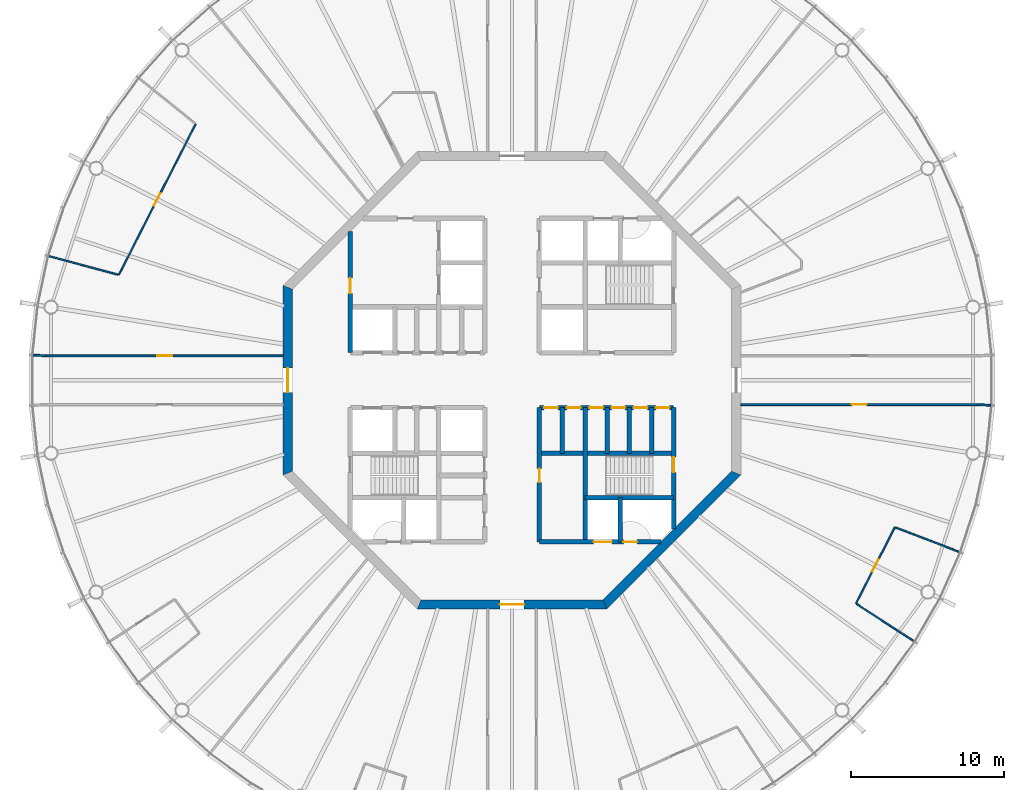
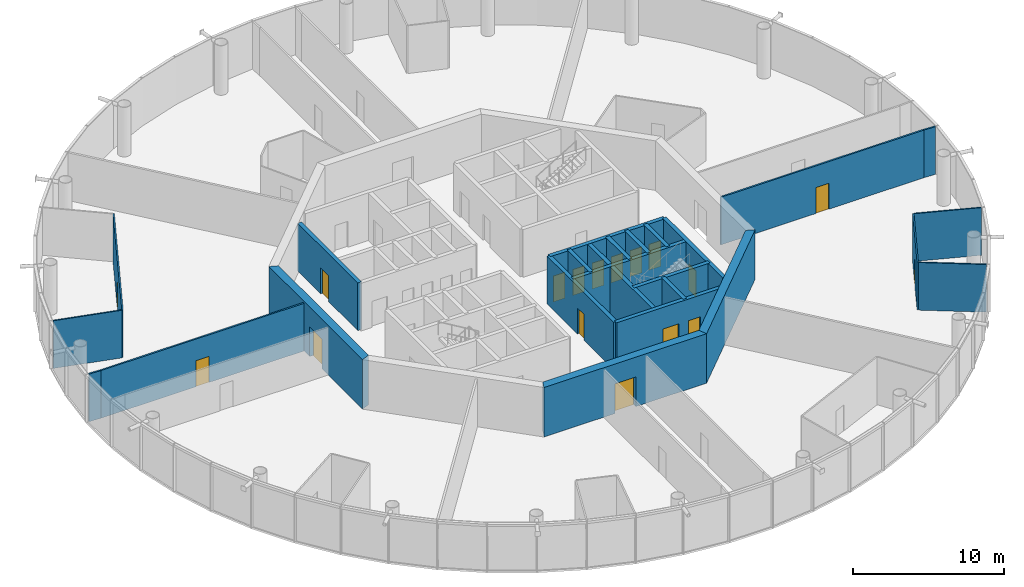
# One storey, part 4 of 18: 25 walls, 17 doors, 17 openings.
"""IFC4 building model written with IfcOpenShell, lengths in metres."""

from ifc_helpers import new_model, si_unit, direction, frame, frame_2d, origin, place, context, subcontext, project, spatial, polyline, rectangle, outline, extrude, material, layer, layer_set, type_object, element, fill, save


model = new_model("IFC4")

# Units and contexts
model_context = context("Model", 3, precision=1e-05, world=origin(), true_north=direction((0.0, 1.0)))
body_context = subcontext(model_context, "Body", "Model", "MODEL_VIEW")
ifc_project = project(units=[si_unit("LENGTHUNIT", "METRE"), si_unit("AREAUNIT", "SQUARE_METRE"), si_unit("VOLUMEUNIT", "CUBIC_METRE"), si_unit("PLANEANGLEUNIT", "RADIAN"), si_unit("MASSUNIT", "GRAM", prefix="KILO")], contexts=[model_context])

# Site, building, storey
site_placement = place(None, origin())
site = spatial("IfcSite", under=ifc_project, at=site_placement, CompositionType="ELEMENT")
building_placement = place(site_placement, origin())
building = spatial("IfcBuilding", under=site, at=building_placement, Name="Entoto Ring Tower", CompositionType="ELEMENT")
storey_placement = place(building_placement, frame((0.0, 0.0, 388.0)))
storey = spatial("IfcBuildingStorey", under=building, at=storey_placement, Name="L90", CompositionType="ELEMENT", Elevation=388.0)

# Wall, opening, door
ifc_material_1 = material(Name="Concrete C40/50", Category="concrete")
ifc_layer_1 = layer(ifc_material_1, 0.300048828125)
ifc_layer_set_1 = layer_set([ifc_layer_1], Name="Concrete C40/50")
wall_type_1 = type_object("IfcWallType", Name="Core enclosure wall 300 mm reinforced concrete", PredefinedType="SOLIDWALL", material=ifc_layer_set_1)
wall_1_placement = place(storey_placement, frame((100.60009765625, 70.2353515625, 0.0), z_axis=(0.0, 0.0, 1.0), x_axis=(0.0, 1.0, 0.0)))
wall_1 = element("IfcWall", 1, at=wall_1_placement, inside=storey, type_object=wall_type_1, Name="wall-L90-001", PredefinedType="SOLIDWALL", context=body_context, shape_type="SweptSolid", body=[
    extrude(rectangle(XDim=7.964599609375, YDim=0.300048828125, at=frame_2d((3.982421875, 0.0))), origin(), (0.0, 0.0, 1.0), 3.85009765625),
])
opening_1_placement = place(wall_1_placement, frame((3.714599609375, 0.0, 0.0)))
opening_1 = element("IfcOpeningElement", 2, at=opening_1_placement, cuts=wall_1, Name="Opening K-31", PredefinedType="OPENING", context=body_context, shape_type="SweptSolid", body=[
    extrude(rectangle(XDim=1.0, YDim=2.10009765625, at=frame_2d((0.5, 1.050048828125))), frame((0.0, 0.16015625, 0.0), z_axis=(0.0, -1.0, 0.0), x_axis=(1.0, 0.0, 0.0)), (0.0, 0.0, 1.0), 0.320068359375),
])
ifc_material_2 = material(Name="Steel door leaf, fire rated", Category="steel")
ifc_layer_2 = layer(ifc_material_2, 0.050048828125)
ifc_layer_set_2 = layer_set([ifc_layer_2], Name="Steel door leaf, fire rated")
door_type_1 = type_object("IfcDoorType", Name="Fire door FD60 1000 x 2100 single leaf", OperationType="NOTDEFINED", PredefinedType="DOOR", material=ifc_layer_set_2)
door_1_placement = place(opening_1_placement, origin())
door_1 = element("IfcDoor", 3, at=door_1_placement, inside=storey, type_object=door_type_1, Name="Door K-31", OperationType="SINGLE_SWING_RIGHT", OverallHeight=2.10009765625, OverallWidth=1.0, PredefinedType="DOOR", context=body_context, shape_type="SweptSolid", body=[
    extrude(rectangle(XDim=1.0, YDim=2.10009765625, at=frame_2d((0.5, 1.050048828125))), frame((0.0, 0.02490234375, 0.0), z_axis=(0.0, -1.0, 0.0), x_axis=(1.0, 0.0, 0.0)), (0.0, 0.0, 1.0), 0.050048828125),
])
fill(opening_1, door_1)

# Walls
for number, where, z_axis, x_axis, name in (
    (4, (99.14990234375, 75.199951171875, 0.0), (0.0, 0.0, 1.0), (0.0, 1.0, 0.0), "wall-L90-003"),
    (5, (97.699951171875, 75.199951171875, 0.0), (0.0, 0.0, 1.0), (0.0, 1.0, 0.0), "wall-L90-004"),
):
    element("IfcWall", number, at=place(storey_placement, frame(where, z_axis=z_axis, x_axis=x_axis)), inside=storey, type_object=wall_type_1, Name=name, PredefinedType="SOLIDWALL", context=body_context, shape_type="SweptSolid", body=[
        extrude(rectangle(XDim=3.0, YDim=0.300048828125, at=frame_2d((1.5, 0.0))), origin(), (0.0, 0.0, 1.0), 3.85009765625),
    ])
wall_2_placement = place(storey_placement, frame((97.10009765625, 69.39990234375, 0.0), z_axis=(0.0, 0.0, 1.0), x_axis=(0.0, 1.0, 0.0)))
element("IfcWall", 6, at=wall_2_placement, inside=storey, type_object=wall_type_1, Name="wall-L90-005", PredefinedType="SOLIDWALL", context=body_context, shape_type="SweptSolid", body=[
    extrude(rectangle(XDim=2.900146484375, YDim=0.300048828125, at=frame_2d((1.4501953125, 0.0))), origin(), (0.0, 0.0, 1.0), 3.85009765625),
])
wall_3_placement = place(storey_placement, frame((96.25, 75.199951171875, 0.0), z_axis=(0.0, 0.0, 1.0), x_axis=(0.0, 1.0, 0.0)))
element("IfcWall", 7, at=wall_3_placement, inside=storey, type_object=wall_type_1, Name="wall-L90-007", PredefinedType="SOLIDWALL", context=body_context, shape_type="SweptSolid", body=[
    extrude(rectangle(XDim=3.0, YDim=0.300048828125, at=frame_2d((1.5, 0.0))), origin(), (0.0, 0.0, 1.0), 3.85009765625),
])
wall_4_placement = place(storey_placement, frame((94.800048828125, 69.39990234375, 0.0), z_axis=(0.0, 0.0, 1.0), x_axis=(0.0, 1.0, 0.0)))
element("IfcWall", 8, at=wall_4_placement, inside=storey, type_object=wall_type_1, Name="wall-L90-008", PredefinedType="SOLIDWALL", context=body_context, shape_type="SweptSolid", body=[
    extrude(rectangle(XDim=8.800048828125, YDim=0.300048828125, at=frame_2d((4.39990234375, 0.0))), origin(), (0.0, 0.0, 1.0), 3.85009765625),
])
wall_5_placement = place(storey_placement, frame((93.300048828125, 75.199951171875, 0.0), z_axis=(0.0, 0.0, 1.0), x_axis=(0.0, 1.0, 0.0)))
element("IfcWall", 9, at=wall_5_placement, inside=storey, type_object=wall_type_1, Name="wall-L90-010", PredefinedType="SOLIDWALL", context=body_context, shape_type="SweptSolid", body=[
    extrude(rectangle(XDim=3.0, YDim=0.300048828125, at=frame_2d((1.5, 0.0))), origin(), (0.0, 0.0, 1.0), 3.85009765625),
])

# Wall, opening, door
wall_6_placement = place(storey_placement, frame((91.800048828125, 69.39990234375, 0.0), z_axis=(0.0, 0.0, 1.0), x_axis=(0.0, 1.0, 0.0)))
wall_6 = element("IfcWall", 10, at=wall_6_placement, inside=storey, type_object=wall_type_1, Name="wall-L90-011", PredefinedType="SOLIDWALL", context=body_context, shape_type="SweptSolid", body=[
    extrude(rectangle(XDim=8.800048828125, YDim=0.300048828125, at=frame_2d((4.39990234375, 0.0))), origin(), (0.0, 0.0, 1.0), 3.85009765625),
])
opening_2_placement = place(wall_6_placement, frame((3.89990234375, 0.0, 0.0)))
opening_2 = element("IfcOpeningElement", 11, at=opening_2_placement, cuts=wall_6, Name="Opening K-21", PredefinedType="OPENING", context=body_context, shape_type="SweptSolid", body=[
    extrude(rectangle(XDim=0.89990234375, YDim=2.10009765625, at=frame_2d((0.449951171875, 1.050048828125))), frame((0.0, 0.16015625, 0.0), z_axis=(0.0, -1.0, 0.0), x_axis=(1.0, 0.0, 0.0)), (0.0, 0.0, 1.0), 0.320068359375),
])
ifc_material_3 = material(Name="Steel door leaf, fire rated", Category="steel")
ifc_layer_3 = layer(ifc_material_3, 0.050048828125)
ifc_layer_set_3 = layer_set([ifc_layer_3], Name="Steel door leaf, fire rated")
door_type_2 = type_object("IfcDoorType", Name="Core door 900 x 2100 single leaf", OperationType="NOTDEFINED", PredefinedType="DOOR", material=ifc_layer_set_3)
door_2_placement = place(opening_2_placement, frame((0.89990234375, 0.0, 0.0), z_axis=(0.0, 0.0, 1.0), x_axis=(-1.0, 0.0, 0.0)))
door_2 = element("IfcDoor", 12, at=door_2_placement, inside=storey, type_object=door_type_2, Name="Door K-21", OperationType="SINGLE_SWING_LEFT", OverallHeight=2.10009765625, OverallWidth=0.89990234375, PredefinedType="DOOR", context=body_context, shape_type="SweptSolid", body=[
    extrude(rectangle(XDim=0.89990234375, YDim=2.10009765625, at=frame_2d((0.449951171875, 1.050048828125))), frame((0.0, 0.02490234375, 0.0), z_axis=(0.0, -1.0, 0.0), x_axis=(1.0, 0.0, 0.0)), (0.0, 0.0, 1.0), 0.050048828125),
])
fill(opening_2, door_2)

wall_7_placement = place(storey_placement, frame((79.39990234375, 81.800048828125, 0.0), z_axis=(0.0, 0.0, 1.0), x_axis=(0.0, 1.0, 0.0)))
wall_7 = element("IfcWall", 13, at=wall_7_placement, inside=storey, type_object=wall_type_1, Name="wall-L90-024", PredefinedType="SOLIDWALL", context=body_context, shape_type="SweptSolid", body=[
    extrude(rectangle(XDim=7.964599609375, YDim=0.300048828125, at=frame_2d((3.982421875, 0.0))), origin(), (0.0, 0.0, 1.0), 3.85009765625),
])
opening_3_placement = place(wall_7_placement, frame((3.89990234375, 0.0, 0.0)))
opening_3 = element("IfcOpeningElement", 14, at=opening_3_placement, cuts=wall_7, Name="Opening K-35", PredefinedType="OPENING", context=body_context, shape_type="SweptSolid", body=[
    extrude(rectangle(XDim=1.0, YDim=2.10009765625, at=frame_2d((0.5, 1.050048828125))), frame((0.0, 0.16015625, 0.0), z_axis=(0.0, -1.0, 0.0), x_axis=(1.0, 0.0, 0.0)), (0.0, 0.0, 1.0), 0.320068359375),
])
door_3_placement = place(opening_3_placement, frame((1.0, 0.0, 0.0), z_axis=(0.0, 0.0, 1.0), x_axis=(-1.0, 0.0, 0.0)))
door_3 = element("IfcDoor", 15, at=door_3_placement, inside=storey, type_object=door_type_1, Name="Door K-35", OperationType="SINGLE_SWING_RIGHT", OverallHeight=2.10009765625, OverallWidth=1.0, PredefinedType="DOOR", context=body_context, shape_type="SweptSolid", body=[
    extrude(rectangle(XDim=1.0, YDim=2.10009765625, at=frame_2d((0.5, 1.050048828125))), frame((0.0, 0.02490234375, 0.0), z_axis=(0.0, -1.0, 0.0), x_axis=(1.0, 0.0, 0.0)), (0.0, 0.0, 1.0), 0.050048828125),
])
fill(opening_3, door_3)

# Wall, openings, doors
wall_8_placement = place(storey_placement, frame((91.800048828125, 69.39990234375, 0.0), z_axis=(0.0, 0.0, 1.0), x_axis=(1.0, 0.0, 0.0)))
wall_8 = element("IfcWall", 16, at=wall_8_placement, inside=storey, type_object=wall_type_1, Name="wall-L90-026", PredefinedType="SOLIDWALL", context=body_context, shape_type="SweptSolid", body=[
    extrude(rectangle(XDim=7.964599609375, YDim=0.300048828125, at=frame_2d((3.982421875, 0.0))), origin(), (0.0, 0.0, 1.0), 3.85009765625),
])
opening_4_placement = place(wall_8_placement, frame((3.550048828125, 0.0, 0.0)))
opening_4 = element("IfcOpeningElement", 17, at=opening_4_placement, cuts=wall_8, Name="Opening LD", PredefinedType="OPENING", context=body_context, shape_type="SweptSolid", body=[
    extrude(rectangle(XDim=1.199951171875, YDim=2.10009765625, at=frame_2d((0.60009765625, 1.050048828125))), frame((0.0, 0.16015625, 0.0), z_axis=(0.0, -1.0, 0.0), x_axis=(1.0, 0.0, 0.0)), (0.0, 0.0, 1.0), 0.320068359375),
])
opening_5_placement = place(wall_8_placement, frame((5.5, 0.0, 0.0)))
opening_5 = element("IfcOpeningElement", 18, at=opening_5_placement, cuts=wall_8, Name="Opening K-34", PredefinedType="OPENING", context=body_context, shape_type="SweptSolid", body=[
    extrude(rectangle(XDim=0.89990234375, YDim=2.10009765625, at=frame_2d((0.449951171875, 1.050048828125))), frame((0.0, 0.16015625, 0.0), z_axis=(0.0, -1.0, 0.0), x_axis=(1.0, 0.0, 0.0)), (0.0, 0.0, 1.0), 0.320068359375),
])
ifc_material_4 = material(Name="Steel and glass door leaf", Category="steel")
ifc_layer_4 = layer(ifc_material_4, 0.050048828125)
ifc_layer_set_4 = layer_set([ifc_layer_4], Name="Steel and glass door leaf")
door_type_3 = type_object("IfcDoorType", Name="Landing door 1200 x 2100 sliding", OperationType="DOUBLE_DOOR_SLIDING", PredefinedType="DOOR", material=ifc_layer_set_4)
door_4_placement = place(opening_4_placement, origin())
door_4 = element("IfcDoor", 19, at=door_4_placement, inside=storey, type_object=door_type_3, Name="Landing door LB2-HR", OperationType="SLIDING_TO_RIGHT", OverallHeight=2.10009765625, OverallWidth=1.199951171875, PredefinedType="DOOR", context=body_context, shape_type="SweptSolid", body=[
    extrude(rectangle(XDim=1.199951171875, YDim=2.10009765625, at=frame_2d((0.60009765625, 1.050048828125))), frame((0.0, 0.02490234375, 0.0), z_axis=(0.0, -1.0, 0.0), x_axis=(1.0, 0.0, 0.0)), (0.0, 0.0, 1.0), 0.050048828125),
])
fill(opening_4, door_4)
ifc_material_5 = material(Name="Steel door leaf, fire rated", Category="steel")
ifc_layer_5 = layer(ifc_material_5, 0.050048828125)
ifc_layer_set_5 = layer_set([ifc_layer_5], Name="Steel door leaf, fire rated")
door_type_4 = type_object("IfcDoorType", Name="Riser door FD60 900 x 2100 single leaf", OperationType="NOTDEFINED", PredefinedType="DOOR", material=ifc_layer_set_5)
door_5_placement = place(opening_5_placement, origin())
door_5 = element("IfcDoor", 20, at=door_5_placement, inside=storey, type_object=door_type_4, Name="Door K-34", OperationType="SINGLE_SWING_LEFT", OverallHeight=2.10009765625, OverallWidth=0.89990234375, PredefinedType="DOOR", context=body_context, shape_type="SweptSolid", body=[
    extrude(rectangle(XDim=0.89990234375, YDim=2.10009765625, at=frame_2d((0.449951171875, 1.050048828125))), frame((0.0, 0.02490234375, 0.0), z_axis=(0.0, -1.0, 0.0), x_axis=(1.0, 0.0, 0.0)), (0.0, 0.0, 1.0), 0.050048828125),
])
fill(opening_5, door_5)

# Walls
wall_9_placement = place(storey_placement, frame((94.800048828125, 72.300048828125, 0.0), z_axis=(0.0, 0.0, 1.0), x_axis=(1.0, 0.0, 0.0)))
element("IfcWall", 21, at=wall_9_placement, inside=storey, type_object=wall_type_1, Name="wall-L90-028", PredefinedType="SOLIDWALL", context=body_context, shape_type="SweptSolid", body=[
    extrude(rectangle(XDim=5.800048828125, YDim=0.300048828125, at=frame_2d((2.89990234375, 0.0))), origin(), (0.0, 0.0, 1.0), 3.85009765625),
])
wall_10_placement = place(storey_placement, frame((91.800048828125, 75.199951171875, 0.0), z_axis=(0.0, 0.0, 1.0), x_axis=(1.0, 0.0, 0.0)))
element("IfcWall", 22, at=wall_10_placement, inside=storey, type_object=wall_type_1, Name="wall-L90-031", PredefinedType="SOLIDWALL", context=body_context, shape_type="SweptSolid", body=[
    extrude(rectangle(XDim=8.800048828125, YDim=0.300048828125, at=frame_2d((4.39990234375, 0.0))), origin(), (0.0, 0.0, 1.0), 3.85009765625),
])

# Wall, openings, doors
wall_11_placement = place(storey_placement, frame((91.800048828125, 78.199951171875, 0.0), z_axis=(0.0, 0.0, 1.0), x_axis=(1.0, 0.0, 0.0)))
wall_11 = element("IfcWall", 23, at=wall_11_placement, inside=storey, type_object=wall_type_1, Name="wall-L90-033", PredefinedType="SOLIDWALL", context=body_context, shape_type="SweptSolid", body=[
    extrude(rectangle(XDim=8.800048828125, YDim=0.300048828125, at=frame_2d((4.39990234375, 0.0))), origin(), (0.0, 0.0, 1.0), 3.85009765625),
])
opening_6_placement = place(wall_11_placement, frame((3.27490234375, 0.0, 0.0)))
opening_6 = element("IfcOpeningElement", 24, at=opening_6_placement, cuts=wall_11, Name="Opening K-14", PredefinedType="OPENING", context=body_context, shape_type="SweptSolid", body=[
    extrude(rectangle(XDim=0.89990234375, YDim=2.10009765625, at=frame_2d((0.449951171875, 1.050048828125))), frame((0.0, 0.16015625, 0.0), z_axis=(0.0, -1.0, 0.0), x_axis=(1.0, 0.0, 0.0)), (0.0, 0.0, 1.0), 0.320068359375),
])
opening_7_placement = place(wall_11_placement, frame((4.72509765625, 0.0, 0.0)))
opening_7 = element("IfcOpeningElement", 25, at=opening_7_placement, cuts=wall_11, Name="Opening K-15", PredefinedType="OPENING", context=body_context, shape_type="SweptSolid", body=[
    extrude(rectangle(XDim=0.89990234375, YDim=2.10009765625, at=frame_2d((0.449951171875, 1.050048828125))), frame((0.0, 0.16015625, 0.0), z_axis=(0.0, -1.0, 0.0), x_axis=(1.0, 0.0, 0.0)), (0.0, 0.0, 1.0), 0.320068359375),
])
opening_8_placement = place(wall_11_placement, frame((6.175048828125, 0.0, 0.0)))
opening_8 = element("IfcOpeningElement", 26, at=opening_8_placement, cuts=wall_11, Name="Opening K-16", PredefinedType="OPENING", context=body_context, shape_type="SweptSolid", body=[
    extrude(rectangle(XDim=0.89990234375, YDim=2.10009765625, at=frame_2d((0.449951171875, 1.050048828125))), frame((0.0, 0.16015625, 0.0), z_axis=(0.0, -1.0, 0.0), x_axis=(1.0, 0.0, 0.0)), (0.0, 0.0, 1.0), 0.320068359375),
])
opening_9_placement = place(wall_11_placement, frame((7.625, 0.0, 0.0)))
opening_9 = element("IfcOpeningElement", 27, at=opening_9_placement, cuts=wall_11, Name="Opening K-57", PredefinedType="OPENING", context=body_context, shape_type="SweptSolid", body=[
    extrude(rectangle(XDim=0.89990234375, YDim=2.10009765625, at=frame_2d((0.449951171875, 1.050048828125))), frame((0.0, 0.16015625, 0.0), z_axis=(0.0, -1.0, 0.0), x_axis=(1.0, 0.0, 0.0)), (0.0, 0.0, 1.0), 0.320068359375),
])
opening_10_placement = place(wall_11_placement, frame((0.300048828125, 0.0, 0.0)))
opening_10 = element("IfcOpeningElement", 28, at=opening_10_placement, cuts=wall_11, Name="Opening K-79", PredefinedType="OPENING", context=body_context, shape_type="SweptSolid", body=[
    extrude(rectangle(XDim=0.89990234375, YDim=2.10009765625, at=frame_2d((0.449951171875, 1.050048828125))), frame((0.0, 0.16015625, 0.0), z_axis=(0.0, -1.0, 0.0), x_axis=(1.0, 0.0, 0.0)), (0.0, 0.0, 1.0), 0.320068359375),
])
opening_11_placement = place(wall_11_placement, frame((1.800048828125, 0.0, 0.0)))
opening_11 = element("IfcOpeningElement", 29, at=opening_11_placement, cuts=wall_11, Name="Opening K-81", PredefinedType="OPENING", context=body_context, shape_type="SweptSolid", body=[
    extrude(rectangle(XDim=0.89990234375, YDim=2.10009765625, at=frame_2d((0.449951171875, 1.050048828125))), frame((0.0, 0.16015625, 0.0), z_axis=(0.0, -1.0, 0.0), x_axis=(1.0, 0.0, 0.0)), (0.0, 0.0, 1.0), 0.320068359375),
])
door_6_placement = place(opening_6_placement, frame((0.89990234375, 0.0, 0.0), z_axis=(0.0, 0.0, 1.0), x_axis=(-1.0, 0.0, 0.0)))
door_6 = element("IfcDoor", 30, at=door_6_placement, inside=storey, type_object=door_type_2, Name="Door K-14", OperationType="SINGLE_SWING_LEFT", OverallHeight=2.10009765625, OverallWidth=0.89990234375, PredefinedType="DOOR", context=body_context, shape_type="SweptSolid", body=[
    extrude(rectangle(XDim=0.89990234375, YDim=2.10009765625, at=frame_2d((0.449951171875, 1.050048828125))), frame((0.0, 0.02490234375, 0.0), z_axis=(0.0, -1.0, 0.0), x_axis=(1.0, 0.0, 0.0)), (0.0, 0.0, 1.0), 0.050048828125),
])
fill(opening_6, door_6)
door_7_placement = place(opening_7_placement, frame((0.89990234375, 0.0, 0.0), z_axis=(0.0, 0.0, 1.0), x_axis=(-1.0, 0.0, 0.0)))
door_7 = element("IfcDoor", 31, at=door_7_placement, inside=storey, type_object=door_type_2, Name="Door K-15", OperationType="SINGLE_SWING_RIGHT", OverallHeight=2.10009765625, OverallWidth=0.89990234375, PredefinedType="DOOR", context=body_context, shape_type="SweptSolid", body=[
    extrude(rectangle(XDim=0.89990234375, YDim=2.10009765625, at=frame_2d((0.449951171875, 1.050048828125))), frame((0.0, 0.02490234375, 0.0), z_axis=(0.0, -1.0, 0.0), x_axis=(1.0, 0.0, 0.0)), (0.0, 0.0, 1.0), 0.050048828125),
])
fill(opening_7, door_7)
door_8_placement = place(opening_8_placement, frame((0.89990234375, 0.0, 0.0), z_axis=(0.0, 0.0, 1.0), x_axis=(-1.0, 0.0, 0.0)))
door_8 = element("IfcDoor", 32, at=door_8_placement, inside=storey, type_object=door_type_2, Name="Door K-16", OperationType="SINGLE_SWING_RIGHT", OverallHeight=2.10009765625, OverallWidth=0.89990234375, PredefinedType="DOOR", context=body_context, shape_type="SweptSolid", body=[
    extrude(rectangle(XDim=0.89990234375, YDim=2.10009765625, at=frame_2d((0.449951171875, 1.050048828125))), frame((0.0, 0.02490234375, 0.0), z_axis=(0.0, -1.0, 0.0), x_axis=(1.0, 0.0, 0.0)), (0.0, 0.0, 1.0), 0.050048828125),
])
fill(opening_8, door_8)
door_9_placement = place(opening_9_placement, frame((0.89990234375, 0.0, 0.0), z_axis=(0.0, 0.0, 1.0), x_axis=(-1.0, 0.0, 0.0)))
door_9 = element("IfcDoor", 33, at=door_9_placement, inside=storey, type_object=door_type_2, Name="Door K-57", OperationType="SINGLE_SWING_RIGHT", OverallHeight=2.10009765625, OverallWidth=0.89990234375, PredefinedType="DOOR", context=body_context, shape_type="SweptSolid", body=[
    extrude(rectangle(XDim=0.89990234375, YDim=2.10009765625, at=frame_2d((0.449951171875, 1.050048828125))), frame((0.0, 0.02490234375, 0.0), z_axis=(0.0, -1.0, 0.0), x_axis=(1.0, 0.0, 0.0)), (0.0, 0.0, 1.0), 0.050048828125),
])
fill(opening_9, door_9)
door_10_placement = place(opening_10_placement, frame((0.89990234375, 0.0, 0.0), z_axis=(0.0, 0.0, 1.0), x_axis=(-1.0, 0.0, 0.0)))
door_10 = element("IfcDoor", 34, at=door_10_placement, inside=storey, type_object=door_type_2, Name="Door K-79", OperationType="SINGLE_SWING_RIGHT", OverallHeight=2.10009765625, OverallWidth=0.89990234375, PredefinedType="DOOR", context=body_context, shape_type="SweptSolid", body=[
    extrude(rectangle(XDim=0.89990234375, YDim=2.10009765625, at=frame_2d((0.449951171875, 1.050048828125))), frame((0.0, 0.02490234375, 0.0), z_axis=(0.0, -1.0, 0.0), x_axis=(1.0, 0.0, 0.0)), (0.0, 0.0, 1.0), 0.050048828125),
])
fill(opening_10, door_10)
door_11_placement = place(opening_11_placement, frame((0.89990234375, 0.0, 0.0), z_axis=(0.0, 0.0, 1.0), x_axis=(-1.0, 0.0, 0.0)))
door_11 = element("IfcDoor", 35, at=door_11_placement, inside=storey, type_object=door_type_2, Name="Door K-81", OperationType="SINGLE_SWING_RIGHT", OverallHeight=2.10009765625, OverallWidth=0.89990234375, PredefinedType="DOOR", context=body_context, shape_type="SweptSolid", body=[
    extrude(rectangle(XDim=0.89990234375, YDim=2.10009765625, at=frame_2d((0.449951171875, 1.050048828125))), frame((0.0, 0.02490234375, 0.0), z_axis=(0.0, -1.0, 0.0), x_axis=(1.0, 0.0, 0.0)), (0.0, 0.0, 1.0), 0.050048828125),
])
fill(opening_11, door_11)

# Wall, opening, door
ifc_material_6 = material(Name="Concrete C40/50", Category="concrete")
ifc_layer_6 = layer(ifc_material_6, 0.60009765625)
ifc_layer_set_6 = layer_set([ifc_layer_6], Name="Concrete C40/50")
wall_type_2 = type_object("IfcWallType", Name="Core shear wall 600 mm reinforced concrete C40/50", PredefinedType="SHEAR", material=ifc_layer_set_6)
wall_12_placement = place(storey_placement, frame((75.300048828125, 86.0888671875, 0.0), z_axis=(0.0, 0.0, 1.0), x_axis=(0.0, -1.0, 0.0)))
wall_12 = element("IfcWall", 36, at=wall_12_placement, inside=storey, type_object=wall_type_2, Name="wall-L90-core-4", PredefinedType="SHEAR", context=body_context, shape_type="SweptSolid", body=[
    extrude(outline(polyline([(-0.124267578125, -0.300048828125), (12.302001953125, -0.300048828125), (12.053466796875, 0.300048828125), (0.124267578125, 0.300048828125), (-0.124267578125, -0.300048828125)])), origin(), (0.0, 0.0, 1.0), 4.0),
])
opening_12_placement = place(wall_12_placement, frame((5.288818359375, 0.0, 0.0)))
opening_12 = element("IfcOpeningElement", 37, at=opening_12_placement, cuts=wall_12, Name="Opening K-03", PredefinedType="OPENING", context=body_context, shape_type="SweptSolid", body=[
    extrude(rectangle(XDim=1.60009765625, YDim=2.39990234375, at=frame_2d((0.800048828125, 1.199951171875))), frame((0.0, 0.31005859375, 0.0), z_axis=(0.0, -1.0, 0.0), x_axis=(1.0, 0.0, 0.0)), (0.0, 0.0, 1.0), 0.6201171875),
])
ifc_material_7 = material(Name="Steel door leaf, fire rated", Category="steel")
ifc_layer_7 = layer(ifc_material_7, 0.050048828125)
ifc_layer_set_7 = layer_set([ifc_layer_7], Name="Steel door leaf, fire rated")
door_type_5 = type_object("IfcDoorType", Name="Entrance door FD60 1600 x 2400 double leaf", OperationType="DOUBLE_DOOR_SINGLE_SWING", PredefinedType="DOOR", material=ifc_layer_set_7)
door_12_placement = place(opening_12_placement, origin())
door_12 = element("IfcDoor", 38, at=door_12_placement, inside=storey, type_object=door_type_5, Name="Entrance door K-03", OperationType="DOUBLE_DOOR_SINGLE_SWING", OverallHeight=2.39990234375, OverallWidth=1.60009765625, PredefinedType="DOOR", context=body_context, shape_type="SweptSolid", body=[
    extrude(rectangle(XDim=1.60009765625, YDim=2.39990234375, at=frame_2d((0.800048828125, 1.199951171875))), frame((0.0, 0.02490234375, 0.0), z_axis=(0.0, -1.0, 0.0), x_axis=(1.0, 0.0, 0.0)), (0.0, 0.0, 1.0), 0.050048828125),
])
fill(opening_12, door_12)

wall_13_placement = place(storey_placement, frame((83.9111328125, 65.300048828125, 0.0), z_axis=(0.0, 0.0, 1.0), x_axis=(1.0, 0.0, 0.0)))
wall_13 = element("IfcWall", 39, at=wall_13_placement, inside=storey, type_object=wall_type_2, Name="wall-L90-core-6", PredefinedType="SHEAR", context=body_context, shape_type="SweptSolid", body=[
    extrude(outline(polyline([(-0.124267578125, -0.300048828125), (12.302001953125, -0.300048828125), (12.053466796875, 0.300048828125), (0.124267578125, 0.300048828125), (-0.124267578125, -0.300048828125)])), origin(), (0.0, 0.0, 1.0), 4.0),
])
opening_13_placement = place(wall_13_placement, frame((5.288818359375, 0.0, 0.0)))
opening_13 = element("IfcOpeningElement", 40, at=opening_13_placement, cuts=wall_13, Name="Opening K-04", PredefinedType="OPENING", context=body_context, shape_type="SweptSolid", body=[
    extrude(rectangle(XDim=1.60009765625, YDim=2.39990234375, at=frame_2d((0.800048828125, 1.199951171875))), frame((0.0, 0.31005859375, 0.0), z_axis=(0.0, -1.0, 0.0), x_axis=(1.0, 0.0, 0.0)), (0.0, 0.0, 1.0), 0.6201171875),
])
door_13_placement = place(opening_13_placement, origin())
door_13 = element("IfcDoor", 41, at=door_13_placement, inside=storey, type_object=door_type_5, Name="Entrance door K-04", OperationType="DOUBLE_DOOR_SINGLE_SWING", OverallHeight=2.39990234375, OverallWidth=1.60009765625, PredefinedType="DOOR", context=body_context, shape_type="SweptSolid", body=[
    extrude(rectangle(XDim=1.60009765625, YDim=2.39990234375, at=frame_2d((0.800048828125, 1.199951171875))), frame((0.0, 0.02490234375, 0.0), z_axis=(0.0, -1.0, 0.0), x_axis=(1.0, 0.0, 0.0)), (0.0, 0.0, 1.0), 0.050048828125),
])
fill(opening_13, door_13)

# Wall
wall_14_placement = place(storey_placement, frame((96.0888671875, 65.300048828125, 0.0), z_axis=(0.0, 0.0, 1.0), x_axis=(0.707106781187, 0.707106781187, 0.0)))
element("IfcWall", 42, at=wall_14_placement, inside=storey, type_object=wall_type_2, Name="wall-L90-core-7", PredefinedType="SHEAR", context=body_context, shape_type="SweptSolid", body=[
    extrude(outline(polyline([(-0.124267578125, -0.300048828125), (12.30224609375, -0.300048828125), (12.0537109375, 0.300048828125), (0.124267578125, 0.300048828125), (-0.124267578125, -0.300048828125)])), origin(), (0.0, 0.0, 1.0), 4.0),
])

# Wall, opening, door
ifc_material_8 = material(Name="Fire-resisting plasterboard on steel studs", Category="steel")
ifc_layer_8 = layer(ifc_material_8, 0.125)
ifc_layer_set_8 = layer_set([ifc_layer_8], Name="Fire-resisting plasterboard on steel studs")
wall_type_3 = type_object("IfcWallType", Name="Corridor wall 125 mm one-hour plasterboard on steel studs", PredefinedType="PARTITIONING", material=ifc_layer_set_8)
wall_15_placement = place(storey_placement, frame((59.47021484375, 81.60009765625, 0.0), z_axis=(0.0, 0.0, 1.0), x_axis=(1.0, 0.0, 0.0)))
wall_15 = element("IfcWall", 43, at=wall_15_placement, inside=storey, type_object=wall_type_3, Name="partition-L90-002", PredefinedType="PARTITIONING", context=body_context, shape_type="SweptSolid", body=[
    extrude(rectangle(XDim=15.52978515625, YDim=0.125, at=frame_2d((7.764892578125, 0.0))), origin(), (0.0, 0.0, 1.0), 3.85009765625),
])
opening_14_placement = place(wall_15_placement, frame((7.264892578125, 0.0, 0.0)))
opening_14 = element("IfcOpeningElement", 44, at=opening_14_placement, cuts=wall_15, Name="Opening A38-D07", PredefinedType="OPENING", context=body_context, shape_type="SweptSolid", body=[
    extrude(rectangle(XDim=1.0, YDim=2.10009765625, at=frame_2d((0.5, 1.050048828125))), frame((0.0, 0.072509765625, 0.0), z_axis=(0.0, -1.0, 0.0), x_axis=(1.0, 0.0, 0.0)), (0.0, 0.0, 1.0), 0.14501953125),
])
ifc_material_9 = material(Name="Fire-resisting timber door set", Category="wood")
door_type_6 = type_object("IfcDoorType", Name="Door 1000 x 2100 single leaf FD30S fire door", OperationType="NOTDEFINED", PredefinedType="DOOR", material=ifc_material_9)
door_14_placement = place(opening_14_placement, origin())
door_14 = element("IfcDoor", 45, at=door_14_placement, inside=storey, type_object=door_type_6, Name="Door A38-D07", OperationType="SINGLE_SWING_RIGHT", OverallHeight=2.10009765625, OverallWidth=1.0, PredefinedType="DOOR", context=body_context, shape_type="SweptSolid", body=[
    extrude(rectangle(XDim=1.0, YDim=2.10009765625, at=frame_2d((0.5, 1.050048828125))), frame((0.0, 0.02490234375, 0.0), z_axis=(0.0, -1.0, 0.0), x_axis=(1.0, 0.0, 0.0)), (0.0, 0.0, 1.0), 0.050048828125),
])
fill(opening_14, door_14)

wall_16_placement = place(storey_placement, frame((105.0, 78.39990234375, 0.0), z_axis=(0.0, 0.0, 1.0), x_axis=(1.0, 0.0, 0.0)))
wall_16 = element("IfcWall", 46, at=wall_16_placement, inside=storey, type_object=wall_type_3, Name="partition-L90-007", PredefinedType="PARTITIONING", context=body_context, shape_type="SweptSolid", body=[
    extrude(rectangle(XDim=15.52978515625, YDim=0.125, at=frame_2d((7.764892578125, 0.0))), origin(), (0.0, 0.0, 1.0), 3.85009765625),
])
opening_15_placement = place(wall_16_placement, frame((7.264892578125, 0.0, 0.0)))
opening_15 = element("IfcOpeningElement", 47, at=opening_15_placement, cuts=wall_16, Name="Opening A38-D15", PredefinedType="OPENING", context=body_context, shape_type="SweptSolid", body=[
    extrude(rectangle(XDim=1.0, YDim=2.10009765625, at=frame_2d((0.5, 1.050048828125))), frame((0.0, 0.072509765625, 0.0), z_axis=(0.0, -1.0, 0.0), x_axis=(1.0, 0.0, 0.0)), (0.0, 0.0, 1.0), 0.14501953125),
])
door_15_placement = place(opening_15_placement, frame((1.0, 0.0, 0.0), z_axis=(0.0, 0.0, 1.0), x_axis=(-1.0, 0.0, 0.0)))
door_15 = element("IfcDoor", 48, at=door_15_placement, inside=storey, type_object=door_type_6, Name="Door A38-D15", OperationType="SINGLE_SWING_RIGHT", OverallHeight=2.10009765625, OverallWidth=1.0, PredefinedType="DOOR", context=body_context, shape_type="SweptSolid", body=[
    extrude(rectangle(XDim=1.0, YDim=2.10009765625, at=frame_2d((0.5, 1.050048828125))), frame((0.0, 0.02490234375, 0.0), z_axis=(0.0, -1.0, 0.0), x_axis=(1.0, 0.0, 0.0)), (0.0, 0.0, 1.0), 0.050048828125),
])
fill(opening_15, door_15)

# Walls
for number, where, z_axis, x_axis, name in (
    (49, (59.466796875, 81.60009765625, 0.0), (0.0, 0.0, 1.0), (-0.998620946423, 0.052499574911, 0.0), "partition-L90-010"),
    (50, (121.39697265625, 78.3544921875, 0.0), (0.0, 0.0, 1.0), (-0.998620946423, 0.052499574911, 0.0), "partition-L90-016"),
):
    element("IfcWall", number, at=place(storey_placement, frame(where, z_axis=z_axis, x_axis=x_axis)), inside=storey, type_object=wall_type_3, Name=name, PredefinedType="PARTITIONING", context=body_context, shape_type="SweptSolid", body=[
        extrude(rectangle(XDim=0.864990234375, YDim=0.125, at=frame_2d((0.4326171875, 0.0))), origin(), (0.0, 0.0, 1.0), 3.85009765625),
    ])

# Wall, opening, door
ifc_material_10 = material(Name="Plasterboard on steel studs", Category="steel")
ifc_layer_9 = layer(ifc_material_10, 0.10009765625)
ifc_layer_set_9 = layer_set([ifc_layer_9], Name="Plasterboard on steel studs")
wall_type_4 = type_object("IfcWallType", Name="Partition 100 mm plasterboard on steel studs", PredefinedType="PARTITIONING", material=ifc_layer_set_9)
wall_17_placement = place(storey_placement, frame((64.219482421875, 86.907958984375, 0.0), z_axis=(0.0, 0.0, 1.0), x_axis=(0.453993664105, 0.891004911857, 0.0)))
wall_17 = element("IfcWall", 51, at=wall_17_placement, inside=storey, type_object=wall_type_4, Name="partition-L90-021", PredefinedType="PARTITIONING", context=body_context, shape_type="SweptSolid", body=[
    extrude(rectangle(XDim=11.098388671875, YDim=0.10009765625, at=frame_2d((5.54931640625, 0.0))), origin(), (0.0, 0.0, 1.0), 3.85009765625),
])
opening_16_placement = place(wall_17_placement, frame((5.09912109375, 0.0, 0.0)))
opening_16 = element("IfcOpeningElement", 52, at=opening_16_placement, cuts=wall_17, Name="Opening A38-D08", PredefinedType="OPENING", context=body_context, shape_type="SweptSolid", body=[
    extrude(rectangle(XDim=0.89990234375, YDim=2.10009765625, at=frame_2d((0.449951171875, 1.050048828125))), frame((0.0, 0.06005859375, 0.0), z_axis=(0.0, -1.0, 0.0), x_axis=(1.0, 0.0, 0.0)), (0.0, 0.0, 1.0), 0.1201171875),
])
ifc_material_11 = material(Name="Veneered timber door leaf in timber frame", Category="wood")
door_type_7 = type_object("IfcDoorType", Name="Door 900 x 2100 single leaf timber veneer", OperationType="NOTDEFINED", PredefinedType="DOOR", material=ifc_material_11)
door_16_placement = place(opening_16_placement, origin())
door_16 = element("IfcDoor", 53, at=door_16_placement, inside=storey, type_object=door_type_7, Name="Door A38-D08", OperationType="SINGLE_SWING_RIGHT", OverallHeight=2.10009765625, OverallWidth=0.89990234375, PredefinedType="DOOR", context=body_context, shape_type="SweptSolid", body=[
    extrude(rectangle(XDim=0.89990234375, YDim=2.10009765625, at=frame_2d((0.449951171875, 1.050048828125))), frame((0.0, 0.02490234375, 0.0), z_axis=(0.0, -1.0, 0.0), x_axis=(1.0, 0.0, 0.0)), (0.0, 0.0, 1.0), 0.050048828125),
])
fill(opening_16, door_16)

wall_18_placement = place(storey_placement, frame((112.552001953125, 65.354736328125, 0.0), z_axis=(0.0, 0.0, 1.0), x_axis=(0.453975876418, 0.891013974992, 0.0)))
wall_18 = element("IfcWall", 54, at=wall_18_placement, inside=storey, type_object=wall_type_4, Name="partition-L90-024", PredefinedType="PARTITIONING", context=body_context, shape_type="SweptSolid", body=[
    extrude(rectangle(XDim=5.621337890625, YDim=0.10009765625, at=frame_2d((2.810546875, 0.0))), origin(), (0.0, 0.0, 1.0), 3.85009765625),
])
opening_17_placement = place(wall_18_placement, frame((2.36083984375, 0.0, 0.0)))
opening_17 = element("IfcOpeningElement", 55, at=opening_17_placement, cuts=wall_18, Name="Opening A38-D16", PredefinedType="OPENING", context=body_context, shape_type="SweptSolid", body=[
    extrude(rectangle(XDim=0.89990234375, YDim=2.10009765625, at=frame_2d((0.449951171875, 1.050048828125))), frame((0.0, 0.06005859375, 0.0), z_axis=(0.0, -1.0, 0.0), x_axis=(1.0, 0.0, 0.0)), (0.0, 0.0, 1.0), 0.1201171875),
])
door_17_placement = place(opening_17_placement, frame((0.89990234375, 0.0, 0.0), z_axis=(0.0, 0.0, 1.0), x_axis=(-1.0, 0.0, 0.0)))
door_17 = element("IfcDoor", 56, at=door_17_placement, inside=storey, type_object=door_type_7, Name="Door A38-D16", OperationType="SINGLE_SWING_LEFT", OverallHeight=2.10009765625, OverallWidth=0.89990234375, PredefinedType="DOOR", context=body_context, shape_type="SweptSolid", body=[
    extrude(rectangle(XDim=0.89990234375, YDim=2.10009765625, at=frame_2d((0.449951171875, 1.050048828125))), frame((0.0, 0.02490234375, 0.0), z_axis=(0.0, -1.0, 0.0), x_axis=(1.0, 0.0, 0.0)), (0.0, 0.0, 1.0), 0.050048828125),
])
fill(opening_17, door_17)

# Walls
wall_19_placement = place(storey_placement, frame((64.17236328125, 86.92041015625, 0.0), z_axis=(0.0, 0.0, 1.0), x_axis=(-0.965923943481, 0.258826071737, 0.0)))
element("IfcWall", 57, at=wall_19_placement, inside=storey, type_object=wall_type_4, Name="partition-L90-027", PredefinedType="PARTITIONING", context=body_context, shape_type="SweptSolid", body=[
    extrude(rectangle(XDim=4.701171875, YDim=0.10009765625, at=frame_2d((2.3505859375, 0.0))), origin(), (0.0, 0.0, 1.0), 3.85009765625),
])
wall_20_placement = place(storey_placement, frame((119.351806640625, 68.73291015625, 0.0), z_axis=(0.0, 0.0, 1.0), x_axis=(-0.933578905137, 0.358371912798, 0.0)))
element("IfcWall", 58, at=wall_20_placement, inside=storey, type_object=wall_type_4, Name="partition-L90-031", PredefinedType="PARTITIONING", context=body_context, shape_type="SweptSolid", body=[
    extrude(rectangle(XDim=4.500244140625, YDim=0.10009765625, at=frame_2d((2.25, 0.0))), origin(), (0.0, 0.0, 1.0), 3.85009765625),
])
wall_21_placement = place(storey_placement, frame((116.367919921875, 62.87646484375, 0.0), z_axis=(0.0, 0.0, 1.0), x_axis=(-0.838666637781, 0.54464508689, 0.0)))
element("IfcWall", 59, at=wall_21_placement, inside=storey, type_object=wall_type_4, Name="partition-L90-032", PredefinedType="PARTITIONING", context=body_context, shape_type="SweptSolid", body=[
    extrude(rectangle(XDim=4.50048828125, YDim=0.10009765625, at=frame_2d((2.250244140625, 0.0))), origin(), (0.0, 0.0, 1.0), 3.85009765625),
])

save(model, "model.ifc")
